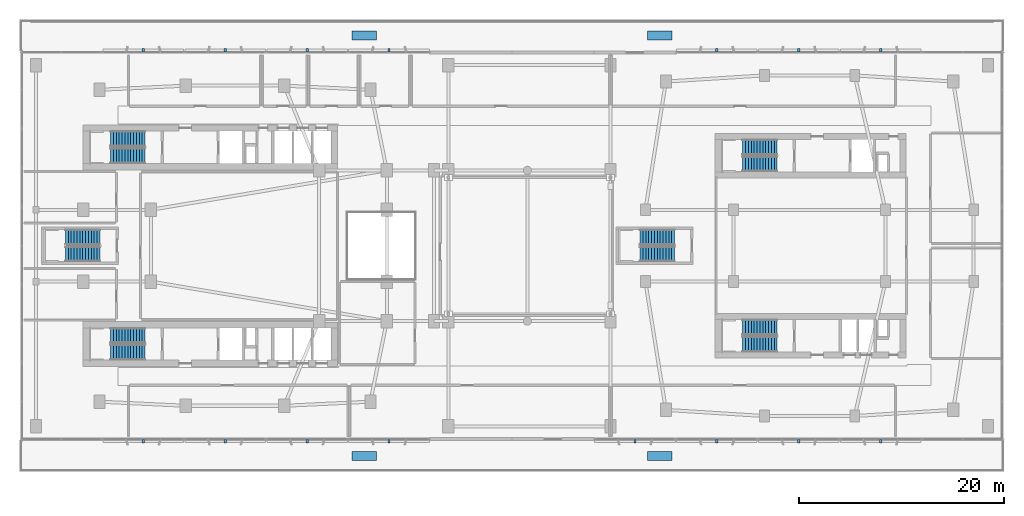
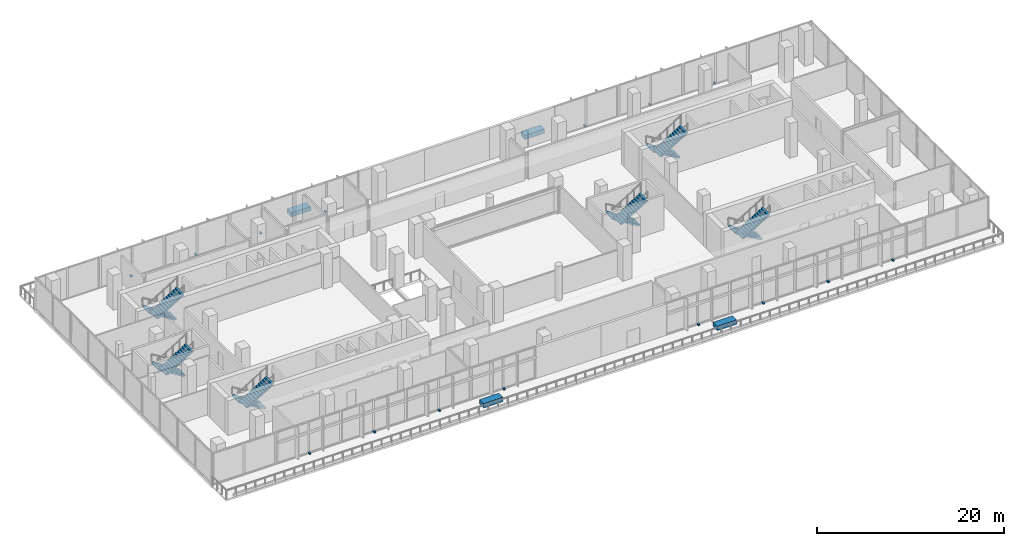
# One storey, part 18 of 31: 19 discrete accessories, 12 stair flights, 6 elements without a shape of their own.
"""IFC4 building model written with IfcOpenShell, lengths in metres."""

from ifc_helpers import new_model, si_unit, derived_unit, direction, frame, origin, origin_2d, place, context, subcontext, project, spatial, polyline, rectangle, outline, extrude, material, type_object, element, aggregate, save


model = new_model("IFC4")

# Units and contexts
model_context = context("Model", 3, precision=1e-05, world=origin(), true_north=direction((0.0, 1.0)))
body_context = subcontext(model_context, "Body", "Model", "MODEL_VIEW")
ifc_project = project(units=[si_unit("LENGTHUNIT", "METRE"), si_unit("AREAUNIT", "SQUARE_METRE"), si_unit("VOLUMEUNIT", "CUBIC_METRE"), si_unit("PLANEANGLEUNIT", "RADIAN"), si_unit("MASSUNIT", "GRAM", prefix="KILO"), derived_unit("THERMALTRANSMITTANCEUNIT", [(si_unit("POWERUNIT", "WATT"), 1), (si_unit("LENGTHUNIT", "METRE"), -2), (si_unit("THERMODYNAMICTEMPERATUREUNIT", "KELVIN"), -1)])], contexts=[model_context])

# Site, building, storey
site_placement = place(None, origin())
site = spatial("IfcSite", under=ifc_project, at=site_placement, CompositionType="ELEMENT")
building_placement = place(site_placement, origin())
building = spatial("IfcBuilding", under=site, at=building_placement, Name="Kivonza Crest Hotel", CompositionType="ELEMENT")
storey_placement = place(building_placement, frame((0.0, 0.0, 15.0)))
storey = spatial("IfcBuildingStorey", under=building, at=storey_placement, Name="L03", CompositionType="ELEMENT", Elevation=15.0)

# Stair, stair flights
ifc_material_1 = material(Name="Concrete C40/50", Category="concrete")
stair_type = type_object("IfcStairType", Name="ST-DL-26R", PredefinedType="HALF_TURN_STAIR", material=ifc_material_1)
stair_1_placement = place(storey_placement, origin())
stair_1 = element("IfcStair", 1, at=stair_1_placement, inside=storey, type_object=stair_type, Name="L03 Protected Exit Stair ST-T1-N", PredefinedType="HALF_TURN_STAIR")
stair_flight_type = type_object("IfcStairFlightType", Name="SFL-RC-13R", PredefinedType="STRAIGHT", material=ifc_material_1)
stair_flight_1_placement = place(storey_placement, frame((12.239990234375, 35.409912109375, 0.0), z_axis=(0.0, 0.0, 1.0), x_axis=(-1.0, 0.0, 0.0)))
stair_flight_1 = element("IfcStairFlight", 2, at=stair_flight_1_placement, type_object=stair_flight_type, Name="ST-T1-N flight 1", NumberOfRisers=13, NumberOfTreads=12, PredefinedType="STRAIGHT", RiserHeight=0.173076923, TreadLength=0.28, context=body_context, shape_type="SweptSolid", body=[
    extrude(outline(polyline([(0.0, 0.0), (0.0, 0.173095703125), (0.280029296875, 0.173095703125), (0.280029296875, 0.34619140625), (0.56005859375, 0.34619140625), (0.56005859375, 0.519287109375), (0.840087890625, 0.519287109375), (0.840087890625, 0.6923828125), (1.1201171875, 0.6923828125), (1.1201171875, 0.865478515625), (1.39990234375, 0.865478515625), (1.39990234375, 1.03857421875), (1.679931640625, 1.03857421875), (1.679931640625, 1.21142578125), (1.9599609375, 1.21142578125), (1.9599609375, 1.384521484375), (2.239990234375, 1.384521484375), (2.239990234375, 1.5576171875), (2.52001953125, 1.5576171875), (2.52001953125, 1.730712890625), (2.800048828125, 1.730712890625), (2.800048828125, 1.90380859375), (3.080078125, 1.90380859375), (3.080078125, 2.076904296875), (3.360107421875, 2.076904296875), (3.360107421875, 2.25), (3.360107421875, 1.900634765625), (0.28515625, 0.0), (0.0, 0.0)])), frame((0.0, 0.75, 0.0), z_axis=(0.0, -1.0, 0.0), x_axis=(1.0, 0.0, 0.0)), (0.0, 0.0, 1.0), 1.5),
])
stair_flight_2_placement = place(storey_placement, frame((8.8798828125, 33.77001953125, 2.25), z_axis=(0.0, 0.0, 1.0), x_axis=(1.0, 0.0, 0.0)))
stair_flight_2 = element("IfcStairFlight", 3, at=stair_flight_2_placement, type_object=stair_flight_type, Name="ST-T1-N flight 2", NumberOfRisers=13, NumberOfTreads=12, PredefinedType="STRAIGHT", RiserHeight=0.173076923, TreadLength=0.28, context=body_context, shape_type="SweptSolid", body=[
    extrude(outline(polyline([(0.0, 0.0), (0.0, 0.173095703125), (0.280029296875, 0.173095703125), (0.280029296875, 0.34619140625), (0.56005859375, 0.34619140625), (0.56005859375, 0.519287109375), (0.840087890625, 0.519287109375), (0.840087890625, 0.6923828125), (1.1201171875, 0.6923828125), (1.1201171875, 0.865478515625), (1.39990234375, 0.865478515625), (1.39990234375, 1.03857421875), (1.679931640625, 1.03857421875), (1.679931640625, 1.21142578125), (1.9599609375, 1.21142578125), (1.9599609375, 1.384521484375), (2.239990234375, 1.384521484375), (2.239990234375, 1.5576171875), (2.52001953125, 1.5576171875), (2.52001953125, 1.730712890625), (2.800048828125, 1.730712890625), (2.800048828125, 1.90380859375), (3.080078125, 1.90380859375), (3.080078125, 2.076904296875), (3.360107421875, 2.076904296875), (3.360107421875, 2.25), (3.360107421875, 1.900634765625), (0.28515625, 0.0), (0.0, 0.0)])), frame((0.0, 0.75, 0.0), z_axis=(0.0, -1.0, 0.0), x_axis=(1.0, 0.0, 0.0)), (0.0, 0.0, 1.0), 1.5),
])
aggregate(stair_1, [stair_flight_1, stair_flight_2])

stair_2_placement = place(storey_placement, origin())
stair_2 = element("IfcStair", 4, at=stair_2_placement, inside=storey, type_object=stair_type, Name="L03 Protected Exit Stair ST-T1-S", PredefinedType="HALF_TURN_STAIR")
stair_flight_3_placement = place(storey_placement, frame((12.239990234375, 16.25, 0.0), z_axis=(0.0, 0.0, 1.0), x_axis=(-1.0, 0.0, 0.0)))
stair_flight_3 = element("IfcStairFlight", 5, at=stair_flight_3_placement, type_object=stair_flight_type, Name="ST-T1-S flight 1", NumberOfRisers=13, NumberOfTreads=12, PredefinedType="STRAIGHT", RiserHeight=0.173076923, TreadLength=0.28, context=body_context, shape_type="SweptSolid", body=[
    extrude(outline(polyline([(0.0, 0.0), (0.0, 0.173095703125), (0.280029296875, 0.173095703125), (0.280029296875, 0.34619140625), (0.56005859375, 0.34619140625), (0.56005859375, 0.519287109375), (0.840087890625, 0.519287109375), (0.840087890625, 0.6923828125), (1.1201171875, 0.6923828125), (1.1201171875, 0.865478515625), (1.39990234375, 0.865478515625), (1.39990234375, 1.03857421875), (1.679931640625, 1.03857421875), (1.679931640625, 1.21142578125), (1.9599609375, 1.21142578125), (1.9599609375, 1.384521484375), (2.239990234375, 1.384521484375), (2.239990234375, 1.5576171875), (2.52001953125, 1.5576171875), (2.52001953125, 1.730712890625), (2.800048828125, 1.730712890625), (2.800048828125, 1.90380859375), (3.080078125, 1.90380859375), (3.080078125, 2.076904296875), (3.360107421875, 2.076904296875), (3.360107421875, 2.25), (3.360107421875, 1.900634765625), (0.28515625, 0.0), (0.0, 0.0)])), frame((0.0, 0.75, 0.0), z_axis=(0.0, -1.0, 0.0), x_axis=(1.0, 0.0, 0.0)), (0.0, 0.0, 1.0), 1.5),
])
stair_flight_4_placement = place(storey_placement, frame((8.8798828125, 14.610107421875, 2.25), z_axis=(0.0, 0.0, 1.0), x_axis=(1.0, 0.0, 0.0)))
stair_flight_4 = element("IfcStairFlight", 6, at=stair_flight_4_placement, type_object=stair_flight_type, Name="ST-T1-S flight 2", NumberOfRisers=13, NumberOfTreads=12, PredefinedType="STRAIGHT", RiserHeight=0.173076923, TreadLength=0.28, context=body_context, shape_type="SweptSolid", body=[
    extrude(outline(polyline([(0.0, 0.0), (0.0, 0.173095703125), (0.280029296875, 0.173095703125), (0.280029296875, 0.34619140625), (0.56005859375, 0.34619140625), (0.56005859375, 0.519287109375), (0.840087890625, 0.519287109375), (0.840087890625, 0.6923828125), (1.1201171875, 0.6923828125), (1.1201171875, 0.865478515625), (1.39990234375, 0.865478515625), (1.39990234375, 1.03857421875), (1.679931640625, 1.03857421875), (1.679931640625, 1.21142578125), (1.9599609375, 1.21142578125), (1.9599609375, 1.384521484375), (2.239990234375, 1.384521484375), (2.239990234375, 1.5576171875), (2.52001953125, 1.5576171875), (2.52001953125, 1.730712890625), (2.800048828125, 1.730712890625), (2.800048828125, 1.90380859375), (3.080078125, 1.90380859375), (3.080078125, 2.076904296875), (3.360107421875, 2.076904296875), (3.360107421875, 2.25), (3.360107421875, 1.900634765625), (0.28515625, 0.0), (0.0, 0.0)])), frame((0.0, 0.75, 0.0), z_axis=(0.0, -1.0, 0.0), x_axis=(1.0, 0.0, 0.0)), (0.0, 0.0, 1.0), 1.5),
])
aggregate(stair_2, [stair_flight_3, stair_flight_4])

stair_3_placement = place(storey_placement, origin())
stair_3 = element("IfcStair", 7, at=stair_3_placement, inside=storey, type_object=stair_type, Name="L03 Protected Exit Stair ST-T2-N", PredefinedType="HALF_TURN_STAIR")
stair_flight_5_placement = place(storey_placement, frame((73.840087890625, 34.610107421875, 0.0), z_axis=(0.0, 0.0, 1.0), x_axis=(-1.0, 0.0, 0.0)))
stair_flight_5 = element("IfcStairFlight", 8, at=stair_flight_5_placement, type_object=stair_flight_type, Name="ST-T2-N flight 1", NumberOfRisers=13, NumberOfTreads=12, PredefinedType="STRAIGHT", RiserHeight=0.173076923, TreadLength=0.28, context=body_context, shape_type="SweptSolid", body=[
    extrude(outline(polyline([(0.0, 0.0), (0.0, 0.173095703125), (0.280029296875, 0.173095703125), (0.280029296875, 0.34619140625), (0.56005859375, 0.34619140625), (0.56005859375, 0.519287109375), (0.840087890625, 0.519287109375), (0.840087890625, 0.6923828125), (1.1201171875, 0.6923828125), (1.1201171875, 0.865478515625), (1.39990234375, 0.865478515625), (1.39990234375, 1.03857421875), (1.679931640625, 1.03857421875), (1.679931640625, 1.21142578125), (1.9599609375, 1.21142578125), (1.9599609375, 1.384521484375), (2.239990234375, 1.384521484375), (2.239990234375, 1.5576171875), (2.52001953125, 1.5576171875), (2.52001953125, 1.730712890625), (2.800048828125, 1.730712890625), (2.800048828125, 1.90380859375), (3.080078125, 1.90380859375), (3.080078125, 2.076904296875), (3.360107421875, 2.076904296875), (3.360107421875, 2.25), (3.360107421875, 1.900634765625), (0.28515625, 0.0), (0.0, 0.0)])), frame((0.0, 0.75, 0.0), z_axis=(0.0, -1.0, 0.0), x_axis=(1.0, 0.0, 0.0)), (0.0, 0.0, 1.0), 1.5),
])
stair_flight_6_placement = place(storey_placement, frame((70.47998046875, 32.969970703125, 2.25), z_axis=(0.0, 0.0, 1.0), x_axis=(1.0, 0.0, 0.0)))
stair_flight_6 = element("IfcStairFlight", 9, at=stair_flight_6_placement, type_object=stair_flight_type, Name="ST-T2-N flight 2", NumberOfRisers=13, NumberOfTreads=12, PredefinedType="STRAIGHT", RiserHeight=0.173076923, TreadLength=0.28, context=body_context, shape_type="SweptSolid", body=[
    extrude(outline(polyline([(0.0, 0.0), (0.0, 0.173095703125), (0.280029296875, 0.173095703125), (0.280029296875, 0.34619140625), (0.56005859375, 0.34619140625), (0.56005859375, 0.519287109375), (0.840087890625, 0.519287109375), (0.840087890625, 0.6923828125), (1.1201171875, 0.6923828125), (1.1201171875, 0.865478515625), (1.39990234375, 0.865478515625), (1.39990234375, 1.03857421875), (1.679931640625, 1.03857421875), (1.679931640625, 1.21142578125), (1.9599609375, 1.21142578125), (1.9599609375, 1.384521484375), (2.239990234375, 1.384521484375), (2.239990234375, 1.5576171875), (2.52001953125, 1.5576171875), (2.52001953125, 1.730712890625), (2.800048828125, 1.730712890625), (2.800048828125, 1.90380859375), (3.080078125, 1.90380859375), (3.080078125, 2.076904296875), (3.360107421875, 2.076904296875), (3.360107421875, 2.25), (3.360107421875, 1.900634765625), (0.28515625, 0.0), (0.0, 0.0)])), frame((0.0, 0.75, 0.0), z_axis=(0.0, -1.0, 0.0), x_axis=(1.0, 0.0, 0.0)), (0.0, 0.0, 1.0), 1.5),
])
aggregate(stair_3, [stair_flight_5, stair_flight_6])

stair_4_placement = place(storey_placement, origin())
stair_4 = element("IfcStair", 10, at=stair_4_placement, inside=storey, type_object=stair_type, Name="L03 Protected Exit Stair ST-T2-S", PredefinedType="HALF_TURN_STAIR")
stair_flight_7_placement = place(storey_placement, frame((73.840087890625, 17.050048828125, 0.0), z_axis=(0.0, 0.0, 1.0), x_axis=(-1.0, 0.0, 0.0)))
stair_flight_7 = element("IfcStairFlight", 11, at=stair_flight_7_placement, type_object=stair_flight_type, Name="ST-T2-S flight 1", NumberOfRisers=13, NumberOfTreads=12, PredefinedType="STRAIGHT", RiserHeight=0.173076923, TreadLength=0.28, context=body_context, shape_type="SweptSolid", body=[
    extrude(outline(polyline([(0.0, 0.0), (0.0, 0.173095703125), (0.280029296875, 0.173095703125), (0.280029296875, 0.34619140625), (0.56005859375, 0.34619140625), (0.56005859375, 0.519287109375), (0.840087890625, 0.519287109375), (0.840087890625, 0.6923828125), (1.1201171875, 0.6923828125), (1.1201171875, 0.865478515625), (1.39990234375, 0.865478515625), (1.39990234375, 1.03857421875), (1.679931640625, 1.03857421875), (1.679931640625, 1.21142578125), (1.9599609375, 1.21142578125), (1.9599609375, 1.384521484375), (2.239990234375, 1.384521484375), (2.239990234375, 1.5576171875), (2.52001953125, 1.5576171875), (2.52001953125, 1.730712890625), (2.800048828125, 1.730712890625), (2.800048828125, 1.90380859375), (3.080078125, 1.90380859375), (3.080078125, 2.076904296875), (3.360107421875, 2.076904296875), (3.360107421875, 2.25), (3.360107421875, 1.900634765625), (0.28515625, 0.0), (0.0, 0.0)])), frame((0.0, 0.75, 0.0), z_axis=(0.0, -1.0, 0.0), x_axis=(1.0, 0.0, 0.0)), (0.0, 0.0, 1.0), 1.5),
])
stair_flight_8_placement = place(storey_placement, frame((70.47998046875, 15.409912109375, 2.25), z_axis=(0.0, 0.0, 1.0), x_axis=(1.0, 0.0, 0.0)))
stair_flight_8 = element("IfcStairFlight", 12, at=stair_flight_8_placement, type_object=stair_flight_type, Name="ST-T2-S flight 2", NumberOfRisers=13, NumberOfTreads=12, PredefinedType="STRAIGHT", RiserHeight=0.173076923, TreadLength=0.28, context=body_context, shape_type="SweptSolid", body=[
    extrude(outline(polyline([(0.0, 0.0), (0.0, 0.173095703125), (0.280029296875, 0.173095703125), (0.280029296875, 0.34619140625), (0.56005859375, 0.34619140625), (0.56005859375, 0.519287109375), (0.840087890625, 0.519287109375), (0.840087890625, 0.6923828125), (1.1201171875, 0.6923828125), (1.1201171875, 0.865478515625), (1.39990234375, 0.865478515625), (1.39990234375, 1.03857421875), (1.679931640625, 1.03857421875), (1.679931640625, 1.21142578125), (1.9599609375, 1.21142578125), (1.9599609375, 1.384521484375), (2.239990234375, 1.384521484375), (2.239990234375, 1.5576171875), (2.52001953125, 1.5576171875), (2.52001953125, 1.730712890625), (2.800048828125, 1.730712890625), (2.800048828125, 1.90380859375), (3.080078125, 1.90380859375), (3.080078125, 2.076904296875), (3.360107421875, 2.076904296875), (3.360107421875, 2.25), (3.360107421875, 1.900634765625), (0.28515625, 0.0), (0.0, 0.0)])), frame((0.0, 0.75, 0.0), z_axis=(0.0, -1.0, 0.0), x_axis=(1.0, 0.0, 0.0)), (0.0, 0.0, 1.0), 1.5),
])
aggregate(stair_4, [stair_flight_7, stair_flight_8])

stair_5_placement = place(storey_placement, origin())
stair_5 = element("IfcStair", 13, at=stair_5_placement, inside=storey, type_object=stair_type, Name="L03 Podium Escape Stair ST-POD-W", PredefinedType="HALF_TURN_STAIR")
stair_flight_9_placement = place(storey_placement, frame((7.840087890625, 25.830078125, 0.0), z_axis=(0.0, 0.0, 1.0), x_axis=(-1.0, 0.0, 0.0)))
stair_flight_9 = element("IfcStairFlight", 14, at=stair_flight_9_placement, type_object=stair_flight_type, Name="ST-POD-W flight 1", NumberOfRisers=13, NumberOfTreads=12, PredefinedType="STRAIGHT", RiserHeight=0.173076923, TreadLength=0.28, context=body_context, shape_type="SweptSolid", body=[
    extrude(outline(polyline([(0.0, 0.0), (0.0, 0.173095703125), (0.280029296875, 0.173095703125), (0.280029296875, 0.34619140625), (0.56005859375, 0.34619140625), (0.56005859375, 0.519287109375), (0.840087890625, 0.519287109375), (0.840087890625, 0.6923828125), (1.1201171875, 0.6923828125), (1.1201171875, 0.865478515625), (1.39990234375, 0.865478515625), (1.39990234375, 1.03857421875), (1.679931640625, 1.03857421875), (1.679931640625, 1.21142578125), (1.9599609375, 1.21142578125), (1.9599609375, 1.384521484375), (2.239990234375, 1.384521484375), (2.239990234375, 1.5576171875), (2.52001953125, 1.5576171875), (2.52001953125, 1.730712890625), (2.800048828125, 1.730712890625), (2.800048828125, 1.90380859375), (3.080078125, 1.90380859375), (3.080078125, 2.076904296875), (3.360107421875, 2.076904296875), (3.360107421875, 2.25), (3.360107421875, 1.900634765625), (0.28515625, 0.0), (0.0, 0.0)])), frame((0.0, 0.75, 0.0), z_axis=(0.0, -1.0, 0.0), x_axis=(1.0, 0.0, 0.0)), (0.0, 0.0, 1.0), 1.5),
])
stair_flight_10_placement = place(storey_placement, frame((4.47998046875, 24.18994140625, 2.25), z_axis=(0.0, 0.0, 1.0), x_axis=(1.0, 0.0, 0.0)))
stair_flight_10 = element("IfcStairFlight", 15, at=stair_flight_10_placement, type_object=stair_flight_type, Name="ST-POD-W flight 2", NumberOfRisers=13, NumberOfTreads=12, PredefinedType="STRAIGHT", RiserHeight=0.173076923, TreadLength=0.28, context=body_context, shape_type="SweptSolid", body=[
    extrude(outline(polyline([(0.0, 0.0), (0.0, 0.173095703125), (0.280029296875, 0.173095703125), (0.280029296875, 0.34619140625), (0.56005859375, 0.34619140625), (0.56005859375, 0.519287109375), (0.840087890625, 0.519287109375), (0.840087890625, 0.6923828125), (1.1201171875, 0.6923828125), (1.1201171875, 0.865478515625), (1.39990234375, 0.865478515625), (1.39990234375, 1.03857421875), (1.679931640625, 1.03857421875), (1.679931640625, 1.21142578125), (1.9599609375, 1.21142578125), (1.9599609375, 1.384521484375), (2.239990234375, 1.384521484375), (2.239990234375, 1.5576171875), (2.52001953125, 1.5576171875), (2.52001953125, 1.730712890625), (2.800048828125, 1.730712890625), (2.800048828125, 1.90380859375), (3.080078125, 1.90380859375), (3.080078125, 2.076904296875), (3.360107421875, 2.076904296875), (3.360107421875, 2.25), (3.360107421875, 1.900634765625), (0.28515625, 0.0), (0.0, 0.0)])), frame((0.0, 0.75, 0.0), z_axis=(0.0, -1.0, 0.0), x_axis=(1.0, 0.0, 0.0)), (0.0, 0.0, 1.0), 1.5),
])
aggregate(stair_5, [stair_flight_9, stair_flight_10])

stair_6_placement = place(storey_placement, origin())
stair_6 = element("IfcStair", 16, at=stair_6_placement, inside=storey, type_object=stair_type, Name="L03 Podium Escape Stair ST-POD-E", PredefinedType="HALF_TURN_STAIR")
stair_flight_11_placement = place(storey_placement, frame((63.840087890625, 25.830078125, 0.0), z_axis=(0.0, 0.0, 1.0), x_axis=(-1.0, 0.0, 0.0)))
stair_flight_11 = element("IfcStairFlight", 17, at=stair_flight_11_placement, type_object=stair_flight_type, Name="ST-POD-E flight 1", NumberOfRisers=13, NumberOfTreads=12, PredefinedType="STRAIGHT", RiserHeight=0.173076923, TreadLength=0.28, context=body_context, shape_type="SweptSolid", body=[
    extrude(outline(polyline([(0.0, 0.0), (0.0, 0.173095703125), (0.280029296875, 0.173095703125), (0.280029296875, 0.34619140625), (0.56005859375, 0.34619140625), (0.56005859375, 0.519287109375), (0.840087890625, 0.519287109375), (0.840087890625, 0.6923828125), (1.1201171875, 0.6923828125), (1.1201171875, 0.865478515625), (1.39990234375, 0.865478515625), (1.39990234375, 1.03857421875), (1.679931640625, 1.03857421875), (1.679931640625, 1.21142578125), (1.9599609375, 1.21142578125), (1.9599609375, 1.384521484375), (2.239990234375, 1.384521484375), (2.239990234375, 1.5576171875), (2.52001953125, 1.5576171875), (2.52001953125, 1.730712890625), (2.800048828125, 1.730712890625), (2.800048828125, 1.90380859375), (3.080078125, 1.90380859375), (3.080078125, 2.076904296875), (3.360107421875, 2.076904296875), (3.360107421875, 2.25), (3.360107421875, 1.900634765625), (0.28515625, 0.0), (0.0, 0.0)])), frame((0.0, 0.75, 0.0), z_axis=(0.0, -1.0, 0.0), x_axis=(1.0, 0.0, 0.0)), (0.0, 0.0, 1.0), 1.5),
])
stair_flight_12_placement = place(storey_placement, frame((60.47998046875, 24.18994140625, 2.25), z_axis=(0.0, 0.0, 1.0), x_axis=(1.0, 0.0, 0.0)))
stair_flight_12 = element("IfcStairFlight", 18, at=stair_flight_12_placement, type_object=stair_flight_type, Name="ST-POD-E flight 2", NumberOfRisers=13, NumberOfTreads=12, PredefinedType="STRAIGHT", RiserHeight=0.173076923, TreadLength=0.28, context=body_context, shape_type="SweptSolid", body=[
    extrude(outline(polyline([(0.0, 0.0), (0.0, 0.173095703125), (0.280029296875, 0.173095703125), (0.280029296875, 0.34619140625), (0.56005859375, 0.34619140625), (0.56005859375, 0.519287109375), (0.840087890625, 0.519287109375), (0.840087890625, 0.6923828125), (1.1201171875, 0.6923828125), (1.1201171875, 0.865478515625), (1.39990234375, 0.865478515625), (1.39990234375, 1.03857421875), (1.679931640625, 1.03857421875), (1.679931640625, 1.21142578125), (1.9599609375, 1.21142578125), (1.9599609375, 1.384521484375), (2.239990234375, 1.384521484375), (2.239990234375, 1.5576171875), (2.52001953125, 1.5576171875), (2.52001953125, 1.730712890625), (2.800048828125, 1.730712890625), (2.800048828125, 1.90380859375), (3.080078125, 1.90380859375), (3.080078125, 2.076904296875), (3.360107421875, 2.076904296875), (3.360107421875, 2.25), (3.360107421875, 1.900634765625), (0.28515625, 0.0), (0.0, 0.0)])), frame((0.0, 0.75, 0.0), z_axis=(0.0, -1.0, 0.0), x_axis=(1.0, 0.0, 0.0)), (0.0, 0.0, 1.0), 1.5),
])
aggregate(stair_6, [stair_flight_11, stair_flight_12])

# Discrete accessories
ifc_material_2 = material(Name="Stainless steel 316", Category="steel")
discrete_accessory_type_1 = type_object("IfcDiscreteAccessoryType", Name="AC-BRACKET-240", PredefinedType="BRACKET", material=ifc_material_2)
for number, where, z_axis, x_axis, name in (
    (19, (12.06005859375, 5.9599609375, -0.009765625), (0.0, 0.0, 1.0), (1.0, 0.0, 0.0), "L03 terracotta baguette support bracket CW-POD-L03-02"),
    (20, (20.047119140625, 5.9599609375, -0.009765625), (0.0, 0.0, 1.0), (1.0, 0.0, 0.0), "L03 terracotta baguette support bracket CW-POD-L03-03"),
    (21, (28.033935546875, 5.9599609375, -0.009765625), (0.0, 0.0, 1.0), (1.0, 0.0, 0.0), "L03 terracotta baguette support bracket CW-POD-L03-04"),
    (22, (36.02001953125, 5.9599609375, -0.009765625), (0.0, 0.0, 1.0), (1.0, 0.0, 0.0), "L03 terracotta baguette support bracket CW-POD-L03-05"),
    (23, (59.97998046875, 5.9599609375, -0.009765625), (0.0, 0.0, 1.0), (1.0, 0.0, 0.0), "L03 terracotta baguette support bracket CW-POD-L03-08"),
    (24, (67.966064453125, 5.9599609375, -0.009765625), (0.0, 0.0, 1.0), (1.0, 0.0, 0.0), "L03 terracotta baguette support bracket CW-POD-L03-09"),
    (25, (75.952880859375, 5.9599609375, -0.009765625), (0.0, 0.0, 1.0), (1.0, 0.0, 0.0), "L03 terracotta baguette support bracket CW-POD-L03-10"),
    (26, (83.93994140625, 5.9599609375, -0.009765625), (0.0, 0.0, 1.0), (1.0, 0.0, 0.0), "L03 terracotta baguette support bracket CW-POD-L03-11"),
    (27, (83.93994140625, 44.0400390625, -0.009765625), (0.0, 0.0, 1.0), (-1.0, 0.0, 0.0), "L03 terracotta baguette support bracket CW-POD-L03-19"),
    (28, (75.952880859375, 44.0400390625, -0.009765625), (0.0, 0.0, 1.0), (-1.0, 0.0, 0.0), "L03 terracotta baguette support bracket CW-POD-L03-20"),
    (29, (67.966064453125, 44.0400390625, -0.009765625), (0.0, 0.0, 1.0), (-1.0, 0.0, 0.0), "L03 terracotta baguette support bracket CW-POD-L03-21"),
    (30, (36.02001953125, 44.0400390625, -0.009765625), (0.0, 0.0, 1.0), (-1.0, 0.0, 0.0), "L03 terracotta baguette support bracket CW-POD-L03-25"),
    (31, (28.033935546875, 44.0400390625, -0.009765625), (0.0, 0.0, 1.0), (-1.0, 0.0, 0.0), "L03 terracotta baguette support bracket CW-POD-L03-26"),
    (32, (20.047119140625, 44.0400390625, -0.009765625), (0.0, 0.0, 1.0), (-1.0, 0.0, 0.0), "L03 terracotta baguette support bracket CW-POD-L03-27"),
    (33, (12.06005859375, 44.0400390625, -0.009765625), (0.0, 0.0, 1.0), (-1.0, 0.0, 0.0), "L03 terracotta baguette support bracket CW-POD-L03-28"),
):
    element("IfcDiscreteAccessory", number, at=place(storey_placement, frame(where, z_axis=z_axis, x_axis=x_axis)), inside=storey, type_object=discrete_accessory_type_1, Name=name, PredefinedType="BRACKET", context=body_context, shape_type="SweptSolid", body=[
        extrude(rectangle(XDim=0.219970703125, YDim=0.340087890625, at=origin_2d()), origin(), (0.0, 0.0, 1.0), 0.179931640625),
    ])
ifc_material_3 = material(Name="Precast GRC planter with engineered planting soil", Category="concrete")
discrete_accessory_type_2 = type_object("IfcDiscreteAccessoryType", Name="AC-PLANTER-1800", PredefinedType="USERDEFINED", material=ifc_material_3)
for number, where, z_axis, x_axis, name in (
    (34, (33.60009765625, 4.5, 0.0), (0.0, 0.0, 1.0), (1.0, 0.0, 0.0), "L03 podium terrace planter 1A"),
    (35, (62.39990234375, 4.5, 0.0), (0.0, 0.0, 1.0), (1.0, 0.0, 0.0), "L03 podium terrace planter 1B"),
    (36, (33.60009765625, 45.5, 0.0), (0.0, 0.0, 1.0), (1.0, 0.0, 0.0), "L03 podium terrace planter 2A"),
    (37, (62.39990234375, 45.5, 0.0), (0.0, 0.0, 1.0), (1.0, 0.0, 0.0), "L03 podium terrace planter 2B"),
):
    element("IfcDiscreteAccessory", number, at=place(storey_placement, frame(where, z_axis=z_axis, x_axis=x_axis)), inside=storey, type_object=discrete_accessory_type_2, Name=name, ObjectType="PLANTER", PredefinedType="USERDEFINED", context=body_context, shape_type="SweptSolid", body=[
        extrude(rectangle(XDim=2.39990234375, YDim=0.89990234375, at=origin_2d()), origin(), (0.0, 0.0, 1.0), 0.550048828125),
    ])

save(model, "model.ifc")
